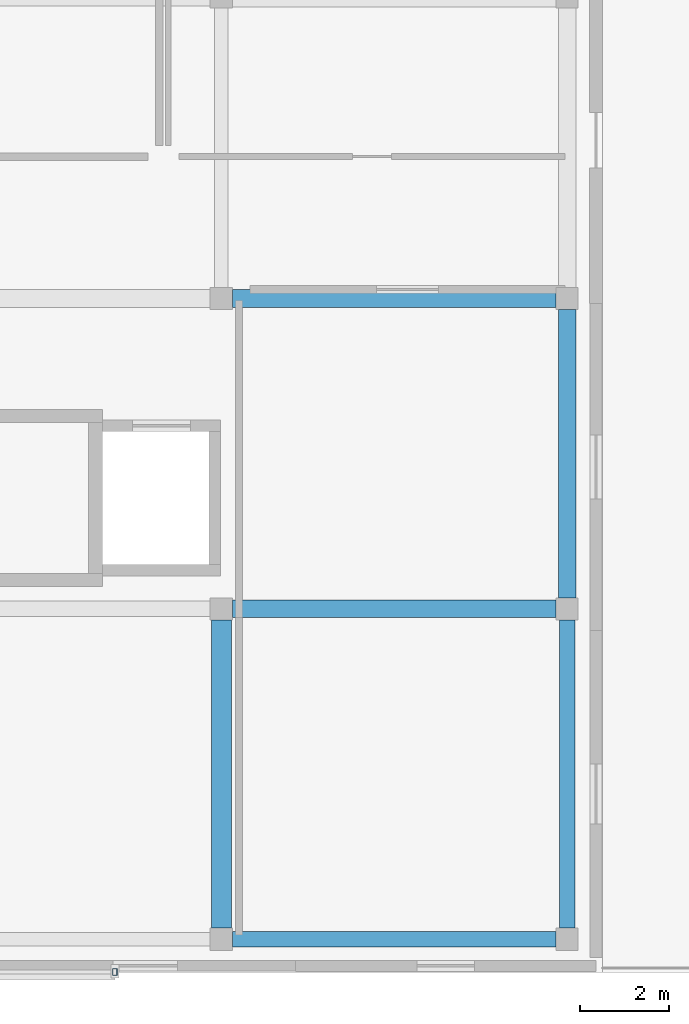
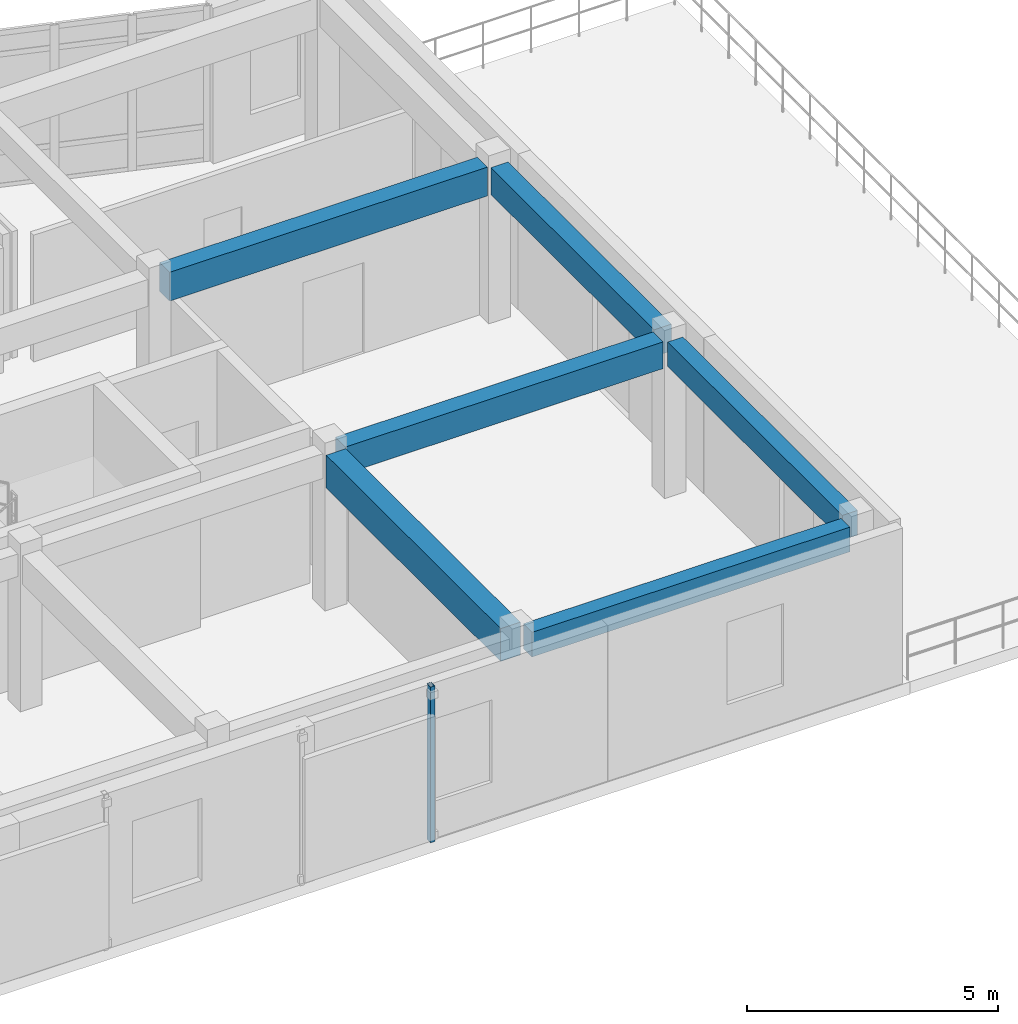
# One storey, part 40 of 91: 6 beams, 1 member.
"""IFC4 building model written with IfcOpenShell, lengths in metres."""

from ifc_helpers import new_model, si_unit, direction, frame, origin, origin_2d, place, context, subcontext, project, spatial, rectangle, hollow_rectangle, extrude, material, material_profile, profile_set, type_object, element, save


model = new_model("IFC4")

# Units and contexts
model_context = context("Model", 3, precision=1e-05, world=origin(), true_north=direction((0.0, 1.0)))
body_context = subcontext(model_context, "Body", "Model", "MODEL_VIEW")
ifc_project = project(units=[si_unit("LENGTHUNIT", "METRE"), si_unit("AREAUNIT", "SQUARE_METRE"), si_unit("VOLUMEUNIT", "CUBIC_METRE"), si_unit("PLANEANGLEUNIT", "RADIAN"), si_unit("MASSUNIT", "GRAM", prefix="KILO")], contexts=[model_context])

# Site, building, storey
site_placement = place(None, origin())
site = spatial("IfcSite", under=ifc_project, at=site_placement, CompositionType="ELEMENT")
building_placement = place(site_placement, origin())
building = spatial("IfcBuilding", under=site, at=building_placement, Name="Valcora Specialist Clinic", CompositionType="ELEMENT")
storey_placement = place(building_placement, frame((0.0, 0.0, 13.60009765625)))
storey = spatial("IfcBuildingStorey", under=building, at=storey_placement, Name="L03", CompositionType="ELEMENT", Elevation=13.60009765625)

# Beams
ifc_material_1 = material(Name="Concrete C40/50", Category="concrete")
ifc_material_profile_1 = material_profile(ifc_material_1, rectangle(XDim=0.35009765625, YDim=0.60009765625, at=origin_2d()), Name="RC-BM-350X600")
ifc_profile_set_1 = profile_set([ifc_material_profile_1], Name="Concrete C40/50")
beam_type_1 = type_object("IfcBeamType", Name="TY-BM-RC350X600", PredefinedType="BEAM", material=ifc_profile_set_1)
beam_1_placement = place(storey_placement, frame((99.64990234375, 0.75, 3.47998046875), z_axis=(1.0, 0.0, 0.0), x_axis=(0.0, 1.0, 0.0)))
element("IfcBeam", 1, at=beam_1_placement, inside=storey, type_object=beam_type_1, Name="Beam BM-L03-1424", PredefinedType="BEAM", context=body_context, shape_type="SweptSolid", body=[
    extrude(rectangle(XDim=0.35009765625, YDim=0.60009765625, at=origin_2d()), origin(), (0.0, 0.0, 1.0), 7.300048828125),
])
beam_2_placement = place(storey_placement, frame((107.199951171875, 1.0, 3.47998046875), z_axis=(0.0, 1.0, 0.0), x_axis=(-1.0, 0.0, 0.0)))
element("IfcBeam", 2, at=beam_2_placement, inside=storey, type_object=beam_type_1, Name="Beam BM-L03-1464", PredefinedType="BEAM", context=body_context, shape_type="SweptSolid", body=[
    extrude(rectangle(XDim=0.35009765625, YDim=0.60009765625, at=origin_2d()), origin(), (0.0, 0.0, 1.0), 6.949951171875),
])
ifc_material_profile_2 = material_profile(ifc_material_1, rectangle(XDim=0.39990234375, YDim=0.64990234375, at=origin_2d()), Name="RC-BM-400X650")
ifc_profile_set_2 = profile_set([ifc_material_profile_2], Name="Concrete C40/50")
beam_type_2 = type_object("IfcBeamType", Name="TY-BM-RC400X650", PredefinedType="BEAM", material=ifc_profile_set_2)
beam_3_placement = place(storey_placement, frame((99.64990234375, 8.199951171875, 3.454833984375), z_axis=(1.0, 0.0, 0.0), x_axis=(0.0, 1.0, 0.0)))
element("IfcBeam", 3, at=beam_3_placement, inside=storey, type_object=beam_type_2, Name="Beam BM-L03-1431", PredefinedType="BEAM", context=body_context, shape_type="SweptSolid", body=[
    extrude(rectangle(XDim=0.39990234375, YDim=0.64990234375, at=origin_2d()), origin(), (0.0, 0.0, 1.0), 7.300048828125),
])
beam_4_placement = place(storey_placement, frame((107.199951171875, 8.449951171875, 3.454833984375), z_axis=(0.0, 1.0, 0.0), x_axis=(-1.0, 0.0, 0.0)))
element("IfcBeam", 4, at=beam_4_placement, inside=storey, type_object=beam_type_2, Name="Beam BM-L03-1465", PredefinedType="BEAM", context=body_context, shape_type="SweptSolid", body=[
    extrude(rectangle(XDim=0.39990234375, YDim=0.64990234375, at=origin_2d()), origin(), (0.0, 0.0, 1.0), 6.5),
])
ifc_material_profile_3 = material_profile(ifc_material_1, rectangle(XDim=0.39990234375, YDim=0.699951171875, at=origin_2d()), Name="RC-BM-400X700")
ifc_profile_set_3 = profile_set([ifc_material_profile_3], Name="Concrete C40/50")
beam_type_3 = type_object("IfcBeamType", Name="TY-BM-RC400X700", PredefinedType="BEAM", material=ifc_profile_set_3)
beam_5_placement = place(storey_placement, frame((99.64990234375, 15.199951171875, 3.429931640625), z_axis=(1.0, 0.0, 0.0), x_axis=(0.0, 1.0, 0.0)))
element("IfcBeam", 5, at=beam_5_placement, inside=storey, type_object=beam_type_3, Name="Beam BM-L03-1438", PredefinedType="BEAM", context=body_context, shape_type="SweptSolid", body=[
    extrude(rectangle(XDim=0.39990234375, YDim=0.699951171875, at=origin_2d()), origin(), (0.0, 0.0, 1.0), 7.300048828125),
])
ifc_material_profile_4 = material_profile(ifc_material_1, rectangle(XDim=0.449951171875, YDim=0.800048828125, at=origin_2d()), Name="RC-BM-450X800")
ifc_profile_set_4 = profile_set([ifc_material_profile_4], Name="Concrete C40/50")
beam_type_4 = type_object("IfcBeamType", Name="TY-BM-RC450X800", PredefinedType="BEAM", material=ifc_profile_set_4)
beam_6_placement = place(storey_placement, frame((99.39990234375, 1.0, 3.3798828125), z_axis=(0.0, 1.0, 0.0), x_axis=(-1.0, 0.0, 0.0)))
element("IfcBeam", 6, at=beam_6_placement, inside=storey, type_object=beam_type_4, Name="Beam BM-L03-1462", PredefinedType="BEAM", context=body_context, shape_type="SweptSolid", body=[
    extrude(rectangle(XDim=0.449951171875, YDim=0.800048828125, at=origin_2d()), origin(), (0.0, 0.0, 1.0), 6.949951171875),
])

# Member
ifc_material_2 = material(Name="Steel ASTM A500 Grade C", Category="steel")
ifc_material_profile_5 = material_profile(ifc_material_2, hollow_rectangle(XDim=0.10009765625, YDim=0.14990234375, WallThickness=0.006103515625, at=origin_2d()), Name="ST-RHS-150X100X6")
ifc_profile_set_5 = profile_set([ifc_material_profile_5], Name="Steel ASTM A500 Grade C")
member_type = type_object("IfcMemberType", Name="TY-MB-SFPOST", PredefinedType="POST", material=ifc_profile_set_5)
member_placement = place(storey_placement, frame((97.0, 0.010009765625, 0.0), z_axis=(0.0, 0.0, 1.0), x_axis=(1.0, 0.0, 0.0)))
element("IfcMember", 7, at=member_placement, inside=storey, type_object=member_type, Name="Brick screen carrier post 158", PredefinedType="POST", context=body_context, shape_type="SweptSolid", body=[
    extrude(hollow_rectangle(XDim=0.10009765625, YDim=0.14990234375, WallThickness=0.006103515625, at=origin_2d()), origin(), (0.0, 0.0, 1.0), 3.77978515625),
])

save(model, "model.ifc")
